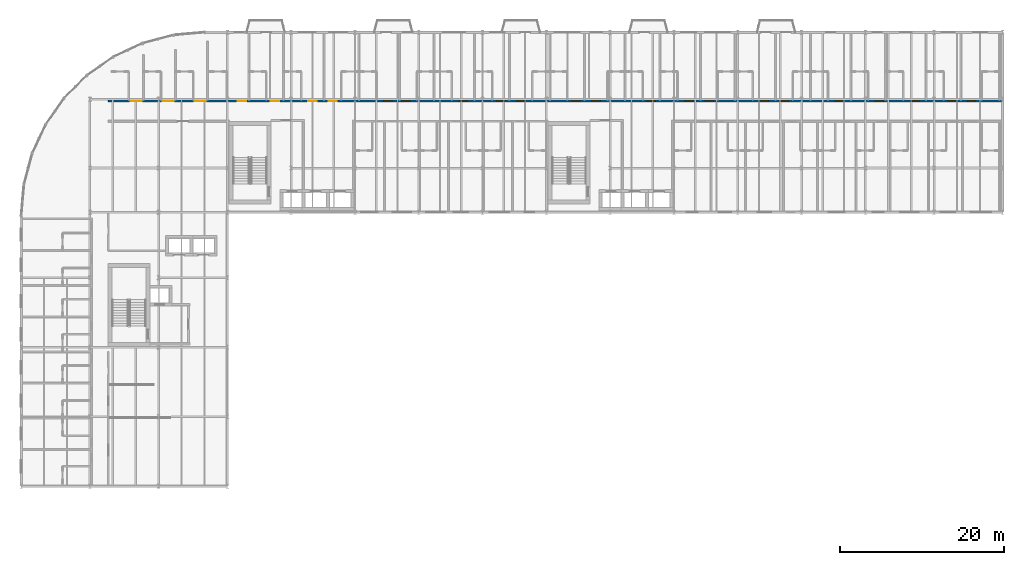
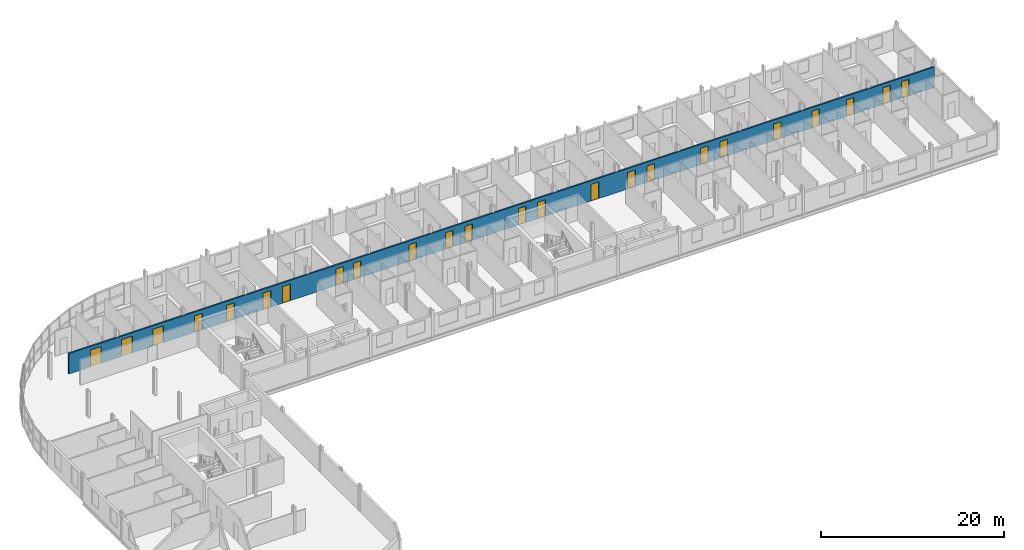
# One storey, part 26 of 34: 24 doors, 1 wall, 24 openings.
"""IFC4 building model written with IfcOpenShell, lengths in metres."""

from ifc_helpers import new_model, si_unit, direction, frame, frame_2d, origin, place, context, subcontext, project, spatial, rectangle, extrude, material, layer, layer_set, type_object, element, fill, save


model = new_model("IFC4")

# Units and contexts
model_context = context("Model", 3, precision=1e-05, world=origin(), true_north=direction((0.0, 1.0)))
body_context = subcontext(model_context, "Body", "Model", "MODEL_VIEW")
ifc_project = project(units=[si_unit("LENGTHUNIT", "METRE"), si_unit("AREAUNIT", "SQUARE_METRE"), si_unit("VOLUMEUNIT", "CUBIC_METRE"), si_unit("PLANEANGLEUNIT", "RADIAN"), si_unit("MASSUNIT", "GRAM", prefix="KILO")], contexts=[model_context])

# Site, building, storey
site_placement = place(None, origin())
site = spatial("IfcSite", under=ifc_project, at=site_placement, CompositionType="ELEMENT")
building_placement = place(site_placement, origin())
building = spatial("IfcBuilding", under=site, at=building_placement, Name="Sefraquen Railside Congress Hotel", CompositionType="ELEMENT")
storey_placement = place(building_placement, frame((0.0, 0.0, 31.800048828125)))
storey = spatial("IfcBuildingStorey", under=building, at=storey_placement, Name="L07", CompositionType="ELEMENT", Elevation=31.800048828125)

# Wall, openings, doors
ifc_material_1 = material(Name="Acoustic gypsum board on metal stud", Category="gypsum")
ifc_layer = layer(ifc_material_1, 0.199951171875)
ifc_layer_set = layer_set([ifc_layer], Name="Acoustic gypsum board on metal stud")
wall_type = type_object("IfcWallType", Name="TW-PW-200", PredefinedType="PARTITIONING", material=ifc_layer_set)
wall_placement = place(storey_placement, frame((10.64990234375, 109.60009765625, 0.0), z_axis=(0.0, 0.0, 1.0), x_axis=(1.0, 0.0, 0.0)))
wall = element("IfcWall", 1, at=wall_placement, inside=storey, type_object=wall_type, Name="Hotel L07 north corridor fire-rated partition", PredefinedType="PARTITIONING", context=body_context, shape_type="SweptSolid", body=[
    extrude(rectangle(XDim=109.210205078125, YDim=0.199951171875, at=frame_2d((54.60498046875, 0.0))), origin(), (0.0, 0.0, 1.0), 2.719970703125),
])
opening_1_placement = place(wall_placement, frame((15.824951171875, 0.0, 0.0)))
opening_1 = element("IfcOpeningElement", 2, at=opening_1_placement, cuts=wall, Name="Opening GD-01", PredefinedType="OPENING", context=body_context, shape_type="SweptSolid", body=[
    extrude(rectangle(XDim=1.02001953125, YDim=2.199951171875, at=frame_2d((0.510009765625, 1.10009765625))), frame((0.0, 0.10986328125, 0.0), z_axis=(0.0, -1.0, 0.0), x_axis=(1.0, 0.0, 0.0)), (0.0, 0.0, 1.0), 0.219970703125),
])
opening_2_placement = place(wall_placement, frame((19.8701171875, 0.0, 0.0)))
opening_2 = element("IfcOpeningElement", 3, at=opening_2_placement, cuts=wall, Name="Opening GD-01", PredefinedType="OPENING", context=body_context, shape_type="SweptSolid", body=[
    extrude(rectangle(XDim=1.02001953125, YDim=2.199951171875, at=frame_2d((0.510009765625, 1.10009765625))), frame((0.0, 0.10986328125, 0.0), z_axis=(0.0, -1.0, 0.0), x_axis=(1.0, 0.0, 0.0)), (0.0, 0.0, 1.0), 0.219970703125),
])
opening_3_placement = place(wall_placement, frame((24.469970703125, 0.0, 0.0)))
opening_3 = element("IfcOpeningElement", 4, at=opening_3_placement, cuts=wall, Name="Opening GD-01", PredefinedType="OPENING", context=body_context, shape_type="SweptSolid", body=[
    extrude(rectangle(XDim=1.02001953125, YDim=2.199951171875, at=frame_2d((0.510009765625, 1.10009765625))), frame((0.0, 0.10986328125, 0.0), z_axis=(0.0, -1.0, 0.0), x_axis=(1.0, 0.0, 0.0)), (0.0, 0.0, 1.0), 0.219970703125),
])
opening_4_placement = place(wall_placement, frame((26.919921875, 0.0, 0.0)))
opening_4 = element("IfcOpeningElement", 5, at=opening_4_placement, cuts=wall, Name="Opening GD-01", PredefinedType="OPENING", context=body_context, shape_type="SweptSolid", body=[
    extrude(rectangle(XDim=1.02001953125, YDim=2.199951171875, at=frame_2d((0.510009765625, 1.10009765625))), frame((0.0, 0.10986328125, 0.0), z_axis=(0.0, -1.0, 0.0), x_axis=(1.0, 0.0, 0.0)), (0.0, 0.0, 1.0), 0.219970703125),
])
opening_5_placement = place(wall_placement, frame((33.699951171875, 0.0, 0.0)))
opening_5 = element("IfcOpeningElement", 6, at=opening_5_placement, cuts=wall, Name="Opening GD-02", PredefinedType="OPENING", context=body_context, shape_type="SweptSolid", body=[
    extrude(rectangle(XDim=0.9599609375, YDim=2.199951171875, at=frame_2d((0.47998046875, 1.10009765625))), frame((0.0, 0.10986328125, 0.0), z_axis=(0.0, -1.0, 0.0), x_axis=(1.0, 0.0, 0.0)), (0.0, 0.0, 1.0), 0.219970703125),
])
opening_6_placement = place(wall_placement, frame((35.89990234375, 0.0, 0.0)))
opening_6 = element("IfcOpeningElement", 7, at=opening_6_placement, cuts=wall, Name="Opening GD-02", PredefinedType="OPENING", context=body_context, shape_type="SweptSolid", body=[
    extrude(rectangle(XDim=0.9599609375, YDim=2.199951171875, at=frame_2d((0.47998046875, 1.10009765625))), frame((0.0, 0.10986328125, 0.0), z_axis=(0.0, -1.0, 0.0), x_axis=(1.0, 0.0, 0.0)), (0.0, 0.0, 1.0), 0.219970703125),
])
opening_7_placement = place(wall_placement, frame((42.89990234375, 0.0, 0.0)))
opening_7 = element("IfcOpeningElement", 8, at=opening_7_placement, cuts=wall, Name="Opening GD-02", PredefinedType="OPENING", context=body_context, shape_type="SweptSolid", body=[
    extrude(rectangle(XDim=0.9599609375, YDim=2.199951171875, at=frame_2d((0.47998046875, 1.10009765625))), frame((0.0, 0.10986328125, 0.0), z_axis=(0.0, -1.0, 0.0), x_axis=(1.0, 0.0, 0.0)), (0.0, 0.0, 1.0), 0.219970703125),
])
opening_8_placement = place(wall_placement, frame((47.5, 0.0, 0.0)))
opening_8 = element("IfcOpeningElement", 9, at=opening_8_placement, cuts=wall, Name="Opening GD-02", PredefinedType="OPENING", context=body_context, shape_type="SweptSolid", body=[
    extrude(rectangle(XDim=0.9599609375, YDim=2.199951171875, at=frame_2d((0.47998046875, 1.10009765625))), frame((0.0, 0.10986328125, 0.0), z_axis=(0.0, -1.0, 0.0), x_axis=(1.0, 0.0, 0.0)), (0.0, 0.0, 1.0), 0.219970703125),
])
opening_9_placement = place(wall_placement, frame((49.949951171875, 0.0, 0.0)))
opening_9 = element("IfcOpeningElement", 10, at=opening_9_placement, cuts=wall, Name="Opening GD-02", PredefinedType="OPENING", context=body_context, shape_type="SweptSolid", body=[
    extrude(rectangle(XDim=0.9599609375, YDim=2.199951171875, at=frame_2d((0.47998046875, 1.10009765625))), frame((0.0, 0.10986328125, 0.0), z_axis=(0.0, -1.0, 0.0), x_axis=(1.0, 0.0, 0.0)), (0.0, 0.0, 1.0), 0.219970703125),
])
opening_10_placement = place(wall_placement, frame((56.699951171875, 0.0, 0.0)))
opening_10 = element("IfcOpeningElement", 11, at=opening_10_placement, cuts=wall, Name="Opening GD-02", PredefinedType="OPENING", context=body_context, shape_type="SweptSolid", body=[
    extrude(rectangle(XDim=0.9599609375, YDim=2.199951171875, at=frame_2d((0.47998046875, 1.10009765625))), frame((0.0, 0.10986328125, 0.0), z_axis=(0.0, -1.0, 0.0), x_axis=(1.0, 0.0, 0.0)), (0.0, 0.0, 1.0), 0.219970703125),
])
opening_11_placement = place(wall_placement, frame((59.14990234375, 0.0, 0.0)))
opening_11 = element("IfcOpeningElement", 12, at=opening_11_placement, cuts=wall, Name="Opening GD-02", PredefinedType="OPENING", context=body_context, shape_type="SweptSolid", body=[
    extrude(rectangle(XDim=0.9599609375, YDim=2.199951171875, at=frame_2d((0.47998046875, 1.10009765625))), frame((0.0, 0.10986328125, 0.0), z_axis=(0.0, -1.0, 0.0), x_axis=(1.0, 0.0, 0.0)), (0.0, 0.0, 1.0), 0.219970703125),
])
opening_12_placement = place(wall_placement, frame((65.89990234375, 0.0, 0.0)))
opening_12 = element("IfcOpeningElement", 13, at=opening_12_placement, cuts=wall, Name="Opening GD-02", PredefinedType="OPENING", context=body_context, shape_type="SweptSolid", body=[
    extrude(rectangle(XDim=0.9599609375, YDim=2.199951171875, at=frame_2d((0.47998046875, 1.10009765625))), frame((0.0, 0.10986328125, 0.0), z_axis=(0.0, -1.0, 0.0), x_axis=(1.0, 0.0, 0.0)), (0.0, 0.0, 1.0), 0.219970703125),
])
opening_13_placement = place(wall_placement, frame((70.5, 0.0, 0.0)))
opening_13 = element("IfcOpeningElement", 14, at=opening_13_placement, cuts=wall, Name="Opening GD-02", PredefinedType="OPENING", context=body_context, shape_type="SweptSolid", body=[
    extrude(rectangle(XDim=0.9599609375, YDim=2.199951171875, at=frame_2d((0.47998046875, 1.10009765625))), frame((0.0, 0.10986328125, 0.0), z_axis=(0.0, -1.0, 0.0), x_axis=(1.0, 0.0, 0.0)), (0.0, 0.0, 1.0), 0.219970703125),
])
opening_14_placement = place(wall_placement, frame((72.949951171875, 0.0, 0.0)))
opening_14 = element("IfcOpeningElement", 15, at=opening_14_placement, cuts=wall, Name="Opening GD-02", PredefinedType="OPENING", context=body_context, shape_type="SweptSolid", body=[
    extrude(rectangle(XDim=0.9599609375, YDim=2.199951171875, at=frame_2d((0.47998046875, 1.10009765625))), frame((0.0, 0.10986328125, 0.0), z_axis=(0.0, -1.0, 0.0), x_axis=(1.0, 0.0, 0.0)), (0.0, 0.0, 1.0), 0.219970703125),
])
opening_15_placement = place(wall_placement, frame((79.699951171875, 0.0, 0.0)))
opening_15 = element("IfcOpeningElement", 16, at=opening_15_placement, cuts=wall, Name="Opening GD-02", PredefinedType="OPENING", context=body_context, shape_type="SweptSolid", body=[
    extrude(rectangle(XDim=0.9599609375, YDim=2.199951171875, at=frame_2d((0.47998046875, 1.10009765625))), frame((0.0, 0.10986328125, 0.0), z_axis=(0.0, -1.0, 0.0), x_axis=(1.0, 0.0, 0.0)), (0.0, 0.0, 1.0), 0.219970703125),
])
opening_16_placement = place(wall_placement, frame((82.14990234375, 0.0, 0.0)))
opening_16 = element("IfcOpeningElement", 17, at=opening_16_placement, cuts=wall, Name="Opening GD-02", PredefinedType="OPENING", context=body_context, shape_type="SweptSolid", body=[
    extrude(rectangle(XDim=0.9599609375, YDim=2.199951171875, at=frame_2d((0.47998046875, 1.10009765625))), frame((0.0, 0.10986328125, 0.0), z_axis=(0.0, -1.0, 0.0), x_axis=(1.0, 0.0, 0.0)), (0.0, 0.0, 1.0), 0.219970703125),
])
opening_17_placement = place(wall_placement, frame((88.89990234375, 0.0, 0.0)))
opening_17 = element("IfcOpeningElement", 18, at=opening_17_placement, cuts=wall, Name="Opening GD-02", PredefinedType="OPENING", context=body_context, shape_type="SweptSolid", body=[
    extrude(rectangle(XDim=0.9599609375, YDim=2.199951171875, at=frame_2d((0.47998046875, 1.10009765625))), frame((0.0, 0.10986328125, 0.0), z_axis=(0.0, -1.0, 0.0), x_axis=(1.0, 0.0, 0.0)), (0.0, 0.0, 1.0), 0.219970703125),
])
opening_18_placement = place(wall_placement, frame((93.75, 0.0, 0.0)))
opening_18 = element("IfcOpeningElement", 19, at=opening_18_placement, cuts=wall, Name="Opening GD-02", PredefinedType="OPENING", context=body_context, shape_type="SweptSolid", body=[
    extrude(rectangle(XDim=0.9599609375, YDim=2.199951171875, at=frame_2d((0.47998046875, 1.10009765625))), frame((0.0, 0.10986328125, 0.0), z_axis=(0.0, -1.0, 0.0), x_axis=(1.0, 0.0, 0.0)), (0.0, 0.0, 1.0), 0.219970703125),
])
opening_19_placement = place(wall_placement, frame((98.10009765625, 0.0, 0.0)))
opening_19 = element("IfcOpeningElement", 20, at=opening_19_placement, cuts=wall, Name="Opening GD-02", PredefinedType="OPENING", context=body_context, shape_type="SweptSolid", body=[
    extrude(rectangle(XDim=0.9599609375, YDim=2.199951171875, at=frame_2d((0.47998046875, 1.10009765625))), frame((0.0, 0.10986328125, 0.0), z_axis=(0.0, -1.0, 0.0), x_axis=(1.0, 0.0, 0.0)), (0.0, 0.0, 1.0), 0.219970703125),
])
opening_20_placement = place(wall_placement, frame((102.699951171875, 0.0, 0.0)))
opening_20 = element("IfcOpeningElement", 21, at=opening_20_placement, cuts=wall, Name="Opening GD-02", PredefinedType="OPENING", context=body_context, shape_type="SweptSolid", body=[
    extrude(rectangle(XDim=0.9599609375, YDim=2.199951171875, at=frame_2d((0.47998046875, 1.10009765625))), frame((0.0, 0.10986328125, 0.0), z_axis=(0.0, -1.0, 0.0), x_axis=(1.0, 0.0, 0.0)), (0.0, 0.0, 1.0), 0.219970703125),
])
opening_21_placement = place(wall_placement, frame((105.0400390625, 0.0, 0.0)))
opening_21 = element("IfcOpeningElement", 22, at=opening_21_placement, cuts=wall, Name="Opening GD-02", PredefinedType="OPENING", context=body_context, shape_type="SweptSolid", body=[
    extrude(rectangle(XDim=0.9599609375, YDim=2.199951171875, at=frame_2d((0.47998046875, 1.10009765625))), frame((0.0, 0.10986328125, 0.0), z_axis=(0.0, -1.0, 0.0), x_axis=(1.0, 0.0, 0.0)), (0.0, 0.0, 1.0), 0.219970703125),
])
opening_22_placement = place(wall_placement, frame((2.716064453125, 0.0, 0.0)))
opening_22 = element("IfcOpeningElement", 23, at=opening_22_placement, cuts=wall, Name="Opening GD-03", PredefinedType="OPENING", context=body_context, shape_type="SweptSolid", body=[
    extrude(rectangle(XDim=1.35009765625, YDim=2.25, at=frame_2d((0.675048828125, 1.125))), frame((0.0, 0.10986328125, 0.0), z_axis=(0.0, -1.0, 0.0), x_axis=(1.0, 0.0, 0.0)), (0.0, 0.0, 1.0), 0.219970703125),
])
opening_23_placement = place(wall_placement, frame((6.64990234375, 0.0, 0.0)))
opening_23 = element("IfcOpeningElement", 24, at=opening_23_placement, cuts=wall, Name="Opening GD-03", PredefinedType="OPENING", context=body_context, shape_type="SweptSolid", body=[
    extrude(rectangle(XDim=1.35009765625, YDim=2.25, at=frame_2d((0.675048828125, 1.125))), frame((0.0, 0.10986328125, 0.0), z_axis=(0.0, -1.0, 0.0), x_axis=(1.0, 0.0, 0.0)), (0.0, 0.0, 1.0), 0.219970703125),
])
opening_24_placement = place(wall_placement, frame((10.5830078125, 0.0, 0.0)))
opening_24 = element("IfcOpeningElement", 25, at=opening_24_placement, cuts=wall, Name="Opening GD-03", PredefinedType="OPENING", context=body_context, shape_type="SweptSolid", body=[
    extrude(rectangle(XDim=1.35009765625, YDim=2.25, at=frame_2d((0.675048828125, 1.125))), frame((0.0, 0.10986328125, 0.0), z_axis=(0.0, -1.0, 0.0), x_axis=(1.0, 0.0, 0.0)), (0.0, 0.0, 1.0), 0.219970703125),
])
ifc_material_2 = material(Name="Solid Atlas cedar timber fire leaf", Category="wood")
door_type_1 = type_object("IfcDoorType", Name="TD-GD-01", OperationType="NOTDEFINED", PredefinedType="DOOR", material=ifc_material_2)
door_1_placement = place(opening_1_placement, origin())
door_1 = element("IfcDoor", 26, at=door_1_placement, inside=storey, type_object=door_type_1, Name="Guest room entrance fire door RM-001", OperationType="SINGLE_SWING_RIGHT", OverallHeight=2.199951171875, OverallWidth=1.02001953125, PredefinedType="DOOR", context=body_context, shape_type="SweptSolid", body=[
    extrude(rectangle(XDim=1.02001953125, YDim=2.199951171875, at=frame_2d((0.510009765625, 1.10009765625))), frame((0.0, 0.02490234375, 0.0), z_axis=(0.0, -1.0, 0.0), x_axis=(1.0, 0.0, 0.0)), (0.0, 0.0, 1.0), 0.050048828125),
])
fill(opening_1, door_1)
door_2_placement = place(opening_2_placement, origin())
door_2 = element("IfcDoor", 27, at=door_2_placement, inside=storey, type_object=door_type_1, Name="Guest room entrance fire door RM-002", OperationType="SINGLE_SWING_RIGHT", OverallHeight=2.199951171875, OverallWidth=1.02001953125, PredefinedType="DOOR", context=body_context, shape_type="SweptSolid", body=[
    extrude(rectangle(XDim=1.02001953125, YDim=2.199951171875, at=frame_2d((0.510009765625, 1.10009765625))), frame((0.0, 0.02490234375, 0.0), z_axis=(0.0, -1.0, 0.0), x_axis=(1.0, 0.0, 0.0)), (0.0, 0.0, 1.0), 0.050048828125),
])
fill(opening_2, door_2)
door_3_placement = place(opening_3_placement, origin())
door_3 = element("IfcDoor", 28, at=door_3_placement, inside=storey, type_object=door_type_1, Name="Guest room entrance fire door RM-003", OperationType="SINGLE_SWING_RIGHT", OverallHeight=2.199951171875, OverallWidth=1.02001953125, PredefinedType="DOOR", context=body_context, shape_type="SweptSolid", body=[
    extrude(rectangle(XDim=1.02001953125, YDim=2.199951171875, at=frame_2d((0.510009765625, 1.10009765625))), frame((0.0, 0.02490234375, 0.0), z_axis=(0.0, -1.0, 0.0), x_axis=(1.0, 0.0, 0.0)), (0.0, 0.0, 1.0), 0.050048828125),
])
fill(opening_3, door_3)
door_4_placement = place(opening_4_placement, origin())
door_4 = element("IfcDoor", 29, at=door_4_placement, inside=storey, type_object=door_type_1, Name="Guest room entrance fire door RM-004", OperationType="SINGLE_SWING_RIGHT", OverallHeight=2.199951171875, OverallWidth=1.02001953125, PredefinedType="DOOR", context=body_context, shape_type="SweptSolid", body=[
    extrude(rectangle(XDim=1.02001953125, YDim=2.199951171875, at=frame_2d((0.510009765625, 1.10009765625))), frame((0.0, 0.02490234375, 0.0), z_axis=(0.0, -1.0, 0.0), x_axis=(1.0, 0.0, 0.0)), (0.0, 0.0, 1.0), 0.050048828125),
])
fill(opening_4, door_4)
door_type_2 = type_object("IfcDoorType", Name="TD-GD-02", OperationType="NOTDEFINED", PredefinedType="DOOR", material=ifc_material_2)
door_5_placement = place(opening_5_placement, origin())
door_5 = element("IfcDoor", 30, at=door_5_placement, inside=storey, type_object=door_type_2, Name="Guest room entrance fire door RM-005", OperationType="SINGLE_SWING_RIGHT", OverallHeight=2.199951171875, OverallWidth=0.9599609375, PredefinedType="DOOR", context=body_context, shape_type="SweptSolid", body=[
    extrude(rectangle(XDim=0.9599609375, YDim=2.199951171875, at=frame_2d((0.47998046875, 1.10009765625))), frame((0.0, 0.02490234375, 0.0), z_axis=(0.0, -1.0, 0.0), x_axis=(1.0, 0.0, 0.0)), (0.0, 0.0, 1.0), 0.050048828125),
])
fill(opening_5, door_5)
door_6_placement = place(opening_6_placement, origin())
door_6 = element("IfcDoor", 31, at=door_6_placement, inside=storey, type_object=door_type_2, Name="Guest room entrance fire door RM-006", OperationType="SINGLE_SWING_RIGHT", OverallHeight=2.199951171875, OverallWidth=0.9599609375, PredefinedType="DOOR", context=body_context, shape_type="SweptSolid", body=[
    extrude(rectangle(XDim=0.9599609375, YDim=2.199951171875, at=frame_2d((0.47998046875, 1.10009765625))), frame((0.0, 0.02490234375, 0.0), z_axis=(0.0, -1.0, 0.0), x_axis=(1.0, 0.0, 0.0)), (0.0, 0.0, 1.0), 0.050048828125),
])
fill(opening_6, door_6)
door_7_placement = place(opening_7_placement, origin())
door_7 = element("IfcDoor", 32, at=door_7_placement, inside=storey, type_object=door_type_2, Name="Guest room entrance fire door RM-007", OperationType="SINGLE_SWING_RIGHT", OverallHeight=2.199951171875, OverallWidth=0.9599609375, PredefinedType="DOOR", context=body_context, shape_type="SweptSolid", body=[
    extrude(rectangle(XDim=0.9599609375, YDim=2.199951171875, at=frame_2d((0.47998046875, 1.10009765625))), frame((0.0, 0.02490234375, 0.0), z_axis=(0.0, -1.0, 0.0), x_axis=(1.0, 0.0, 0.0)), (0.0, 0.0, 1.0), 0.050048828125),
])
fill(opening_7, door_7)
door_8_placement = place(opening_8_placement, origin())
door_8 = element("IfcDoor", 33, at=door_8_placement, inside=storey, type_object=door_type_2, Name="Guest room entrance fire door RM-008", OperationType="SINGLE_SWING_RIGHT", OverallHeight=2.199951171875, OverallWidth=0.9599609375, PredefinedType="DOOR", context=body_context, shape_type="SweptSolid", body=[
    extrude(rectangle(XDim=0.9599609375, YDim=2.199951171875, at=frame_2d((0.47998046875, 1.10009765625))), frame((0.0, 0.02490234375, 0.0), z_axis=(0.0, -1.0, 0.0), x_axis=(1.0, 0.0, 0.0)), (0.0, 0.0, 1.0), 0.050048828125),
])
fill(opening_8, door_8)
door_9_placement = place(opening_9_placement, origin())
door_9 = element("IfcDoor", 34, at=door_9_placement, inside=storey, type_object=door_type_2, Name="Guest room entrance fire door RM-009", OperationType="SINGLE_SWING_RIGHT", OverallHeight=2.199951171875, OverallWidth=0.9599609375, PredefinedType="DOOR", context=body_context, shape_type="SweptSolid", body=[
    extrude(rectangle(XDim=0.9599609375, YDim=2.199951171875, at=frame_2d((0.47998046875, 1.10009765625))), frame((0.0, 0.02490234375, 0.0), z_axis=(0.0, -1.0, 0.0), x_axis=(1.0, 0.0, 0.0)), (0.0, 0.0, 1.0), 0.050048828125),
])
fill(opening_9, door_9)
door_10_placement = place(opening_10_placement, origin())
door_10 = element("IfcDoor", 35, at=door_10_placement, inside=storey, type_object=door_type_2, Name="Guest room entrance fire door RM-010", OperationType="SINGLE_SWING_RIGHT", OverallHeight=2.199951171875, OverallWidth=0.9599609375, PredefinedType="DOOR", context=body_context, shape_type="SweptSolid", body=[
    extrude(rectangle(XDim=0.9599609375, YDim=2.199951171875, at=frame_2d((0.47998046875, 1.10009765625))), frame((0.0, 0.02490234375, 0.0), z_axis=(0.0, -1.0, 0.0), x_axis=(1.0, 0.0, 0.0)), (0.0, 0.0, 1.0), 0.050048828125),
])
fill(opening_10, door_10)
door_11_placement = place(opening_11_placement, origin())
door_11 = element("IfcDoor", 36, at=door_11_placement, inside=storey, type_object=door_type_2, Name="Guest room entrance fire door RM-011", OperationType="SINGLE_SWING_RIGHT", OverallHeight=2.199951171875, OverallWidth=0.9599609375, PredefinedType="DOOR", context=body_context, shape_type="SweptSolid", body=[
    extrude(rectangle(XDim=0.9599609375, YDim=2.199951171875, at=frame_2d((0.47998046875, 1.10009765625))), frame((0.0, 0.02490234375, 0.0), z_axis=(0.0, -1.0, 0.0), x_axis=(1.0, 0.0, 0.0)), (0.0, 0.0, 1.0), 0.050048828125),
])
fill(opening_11, door_11)
door_12_placement = place(opening_12_placement, origin())
door_12 = element("IfcDoor", 37, at=door_12_placement, inside=storey, type_object=door_type_2, Name="Guest room entrance fire door RM-012", OperationType="SINGLE_SWING_RIGHT", OverallHeight=2.199951171875, OverallWidth=0.9599609375, PredefinedType="DOOR", context=body_context, shape_type="SweptSolid", body=[
    extrude(rectangle(XDim=0.9599609375, YDim=2.199951171875, at=frame_2d((0.47998046875, 1.10009765625))), frame((0.0, 0.02490234375, 0.0), z_axis=(0.0, -1.0, 0.0), x_axis=(1.0, 0.0, 0.0)), (0.0, 0.0, 1.0), 0.050048828125),
])
fill(opening_12, door_12)
door_13_placement = place(opening_13_placement, origin())
door_13 = element("IfcDoor", 38, at=door_13_placement, inside=storey, type_object=door_type_2, Name="Guest room entrance fire door RM-013", OperationType="SINGLE_SWING_RIGHT", OverallHeight=2.199951171875, OverallWidth=0.9599609375, PredefinedType="DOOR", context=body_context, shape_type="SweptSolid", body=[
    extrude(rectangle(XDim=0.9599609375, YDim=2.199951171875, at=frame_2d((0.47998046875, 1.10009765625))), frame((0.0, 0.02490234375, 0.0), z_axis=(0.0, -1.0, 0.0), x_axis=(1.0, 0.0, 0.0)), (0.0, 0.0, 1.0), 0.050048828125),
])
fill(opening_13, door_13)
door_14_placement = place(opening_14_placement, origin())
door_14 = element("IfcDoor", 39, at=door_14_placement, inside=storey, type_object=door_type_2, Name="Guest room entrance fire door RM-014", OperationType="SINGLE_SWING_RIGHT", OverallHeight=2.199951171875, OverallWidth=0.9599609375, PredefinedType="DOOR", context=body_context, shape_type="SweptSolid", body=[
    extrude(rectangle(XDim=0.9599609375, YDim=2.199951171875, at=frame_2d((0.47998046875, 1.10009765625))), frame((0.0, 0.02490234375, 0.0), z_axis=(0.0, -1.0, 0.0), x_axis=(1.0, 0.0, 0.0)), (0.0, 0.0, 1.0), 0.050048828125),
])
fill(opening_14, door_14)
door_15_placement = place(opening_15_placement, origin())
door_15 = element("IfcDoor", 40, at=door_15_placement, inside=storey, type_object=door_type_2, Name="Guest room entrance fire door RM-015", OperationType="SINGLE_SWING_RIGHT", OverallHeight=2.199951171875, OverallWidth=0.9599609375, PredefinedType="DOOR", context=body_context, shape_type="SweptSolid", body=[
    extrude(rectangle(XDim=0.9599609375, YDim=2.199951171875, at=frame_2d((0.47998046875, 1.10009765625))), frame((0.0, 0.02490234375, 0.0), z_axis=(0.0, -1.0, 0.0), x_axis=(1.0, 0.0, 0.0)), (0.0, 0.0, 1.0), 0.050048828125),
])
fill(opening_15, door_15)
door_16_placement = place(opening_16_placement, origin())
door_16 = element("IfcDoor", 41, at=door_16_placement, inside=storey, type_object=door_type_2, Name="Guest room entrance fire door RM-016", OperationType="SINGLE_SWING_RIGHT", OverallHeight=2.199951171875, OverallWidth=0.9599609375, PredefinedType="DOOR", context=body_context, shape_type="SweptSolid", body=[
    extrude(rectangle(XDim=0.9599609375, YDim=2.199951171875, at=frame_2d((0.47998046875, 1.10009765625))), frame((0.0, 0.02490234375, 0.0), z_axis=(0.0, -1.0, 0.0), x_axis=(1.0, 0.0, 0.0)), (0.0, 0.0, 1.0), 0.050048828125),
])
fill(opening_16, door_16)
door_17_placement = place(opening_17_placement, origin())
door_17 = element("IfcDoor", 42, at=door_17_placement, inside=storey, type_object=door_type_2, Name="Guest room entrance fire door RM-017", OperationType="SINGLE_SWING_RIGHT", OverallHeight=2.199951171875, OverallWidth=0.9599609375, PredefinedType="DOOR", context=body_context, shape_type="SweptSolid", body=[
    extrude(rectangle(XDim=0.9599609375, YDim=2.199951171875, at=frame_2d((0.47998046875, 1.10009765625))), frame((0.0, 0.02490234375, 0.0), z_axis=(0.0, -1.0, 0.0), x_axis=(1.0, 0.0, 0.0)), (0.0, 0.0, 1.0), 0.050048828125),
])
fill(opening_17, door_17)
door_18_placement = place(opening_18_placement, origin())
door_18 = element("IfcDoor", 43, at=door_18_placement, inside=storey, type_object=door_type_2, Name="Guest room entrance fire door RM-018", OperationType="SINGLE_SWING_RIGHT", OverallHeight=2.199951171875, OverallWidth=0.9599609375, PredefinedType="DOOR", context=body_context, shape_type="SweptSolid", body=[
    extrude(rectangle(XDim=0.9599609375, YDim=2.199951171875, at=frame_2d((0.47998046875, 1.10009765625))), frame((0.0, 0.02490234375, 0.0), z_axis=(0.0, -1.0, 0.0), x_axis=(1.0, 0.0, 0.0)), (0.0, 0.0, 1.0), 0.050048828125),
])
fill(opening_18, door_18)
door_19_placement = place(opening_19_placement, origin())
door_19 = element("IfcDoor", 44, at=door_19_placement, inside=storey, type_object=door_type_2, Name="Guest room entrance fire door RM-019", OperationType="SINGLE_SWING_RIGHT", OverallHeight=2.199951171875, OverallWidth=0.9599609375, PredefinedType="DOOR", context=body_context, shape_type="SweptSolid", body=[
    extrude(rectangle(XDim=0.9599609375, YDim=2.199951171875, at=frame_2d((0.47998046875, 1.10009765625))), frame((0.0, 0.02490234375, 0.0), z_axis=(0.0, -1.0, 0.0), x_axis=(1.0, 0.0, 0.0)), (0.0, 0.0, 1.0), 0.050048828125),
])
fill(opening_19, door_19)
door_20_placement = place(opening_20_placement, origin())
door_20 = element("IfcDoor", 45, at=door_20_placement, inside=storey, type_object=door_type_2, Name="Guest room entrance fire door RM-020", OperationType="SINGLE_SWING_RIGHT", OverallHeight=2.199951171875, OverallWidth=0.9599609375, PredefinedType="DOOR", context=body_context, shape_type="SweptSolid", body=[
    extrude(rectangle(XDim=0.9599609375, YDim=2.199951171875, at=frame_2d((0.47998046875, 1.10009765625))), frame((0.0, 0.02490234375, 0.0), z_axis=(0.0, -1.0, 0.0), x_axis=(1.0, 0.0, 0.0)), (0.0, 0.0, 1.0), 0.050048828125),
])
fill(opening_20, door_20)
door_21_placement = place(opening_21_placement, origin())
door_21 = element("IfcDoor", 46, at=door_21_placement, inside=storey, type_object=door_type_2, Name="Guest room entrance fire door RM-021", OperationType="SINGLE_SWING_RIGHT", OverallHeight=2.199951171875, OverallWidth=0.9599609375, PredefinedType="DOOR", context=body_context, shape_type="SweptSolid", body=[
    extrude(rectangle(XDim=0.9599609375, YDim=2.199951171875, at=frame_2d((0.47998046875, 1.10009765625))), frame((0.0, 0.02490234375, 0.0), z_axis=(0.0, -1.0, 0.0), x_axis=(1.0, 0.0, 0.0)), (0.0, 0.0, 1.0), 0.050048828125),
])
fill(opening_21, door_21)
door_type_3 = type_object("IfcDoorType", Name="TD-GD-03", OperationType="NOTDEFINED", PredefinedType="DOOR", material=ifc_material_2)
door_22_placement = place(opening_22_placement, origin())
door_22 = element("IfcDoor", 47, at=door_22_placement, inside=storey, type_object=door_type_3, Name="Guest room entrance fire door RM-045", OperationType="DOUBLE_SWING_LEFT", OverallHeight=2.25, OverallWidth=1.35009765625, PredefinedType="DOOR", context=body_context, shape_type="SweptSolid", body=[
    extrude(rectangle(XDim=1.35009765625, YDim=2.25, at=frame_2d((0.675048828125, 1.125))), frame((0.0, 0.02490234375, 0.0), z_axis=(0.0, -1.0, 0.0), x_axis=(1.0, 0.0, 0.0)), (0.0, 0.0, 1.0), 0.050048828125),
])
fill(opening_22, door_22)
door_23_placement = place(opening_23_placement, origin())
door_23 = element("IfcDoor", 48, at=door_23_placement, inside=storey, type_object=door_type_3, Name="Guest room entrance fire door RM-046", OperationType="DOUBLE_SWING_LEFT", OverallHeight=2.25, OverallWidth=1.35009765625, PredefinedType="DOOR", context=body_context, shape_type="SweptSolid", body=[
    extrude(rectangle(XDim=1.35009765625, YDim=2.25, at=frame_2d((0.675048828125, 1.125))), frame((0.0, 0.02490234375, 0.0), z_axis=(0.0, -1.0, 0.0), x_axis=(1.0, 0.0, 0.0)), (0.0, 0.0, 1.0), 0.050048828125),
])
fill(opening_23, door_23)
door_24_placement = place(opening_24_placement, origin())
door_24 = element("IfcDoor", 49, at=door_24_placement, inside=storey, type_object=door_type_3, Name="Guest room entrance fire door RM-047", OperationType="DOUBLE_SWING_LEFT", OverallHeight=2.25, OverallWidth=1.35009765625, PredefinedType="DOOR", context=body_context, shape_type="SweptSolid", body=[
    extrude(rectangle(XDim=1.35009765625, YDim=2.25, at=frame_2d((0.675048828125, 1.125))), frame((0.0, 0.02490234375, 0.0), z_axis=(0.0, -1.0, 0.0), x_axis=(1.0, 0.0, 0.0)), (0.0, 0.0, 1.0), 0.050048828125),
])
fill(opening_24, door_24)

save(model, "model.ifc")
